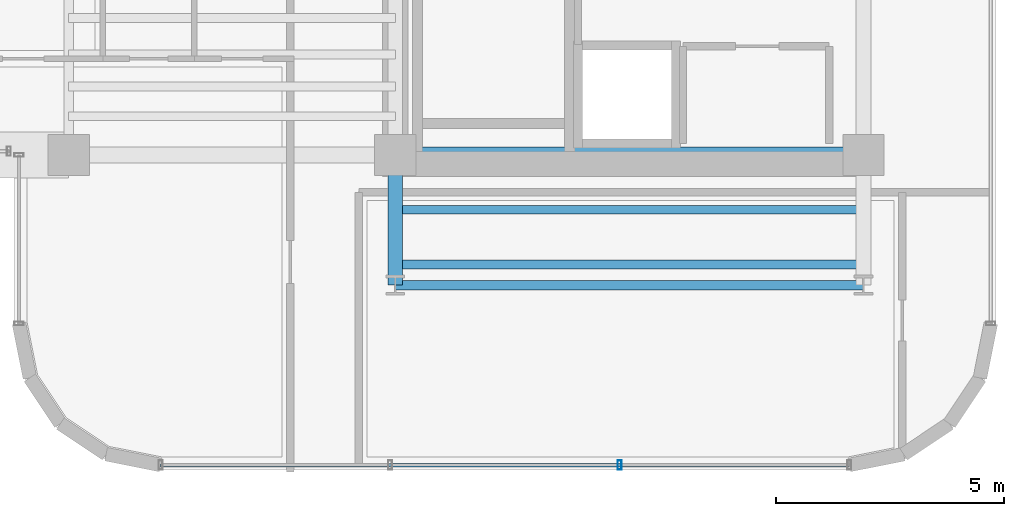
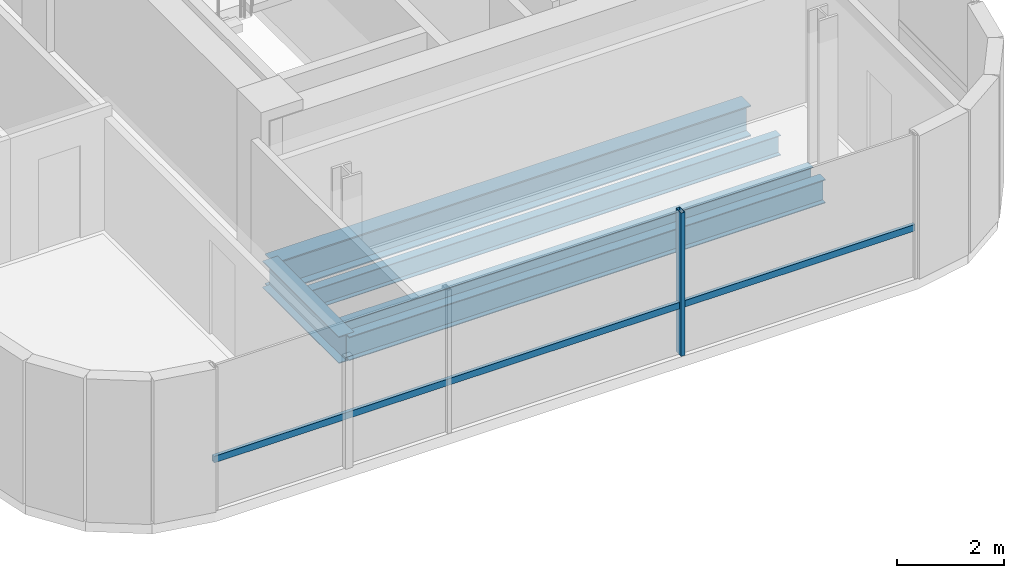
# One storey, part 3 of 24: 5 beams, 2 members, 1 element without a shape of its own.
"""IFC4 building model written with IfcOpenShell, lengths in metres."""

import ifcopenshell
import ifcopenshell.guid

model = None  # the IFC model being written
_history = None  # IfcOwnerHistory: only IFC2X3 demands one
_inside = {}  # id of a spatial element -> (the spatial element, [elements in it])
_under = {}  # id of a project, library or spatial element -> (it, [spatial elements below it])
_declared = {}  # id of a project -> (the project, [libraries it declares])
_typed = {}  # id of a type object -> (the type object, [elements of that type])
_made_of = {}  # id of a material, layer set ... -> (it, [elements and type objects made of it])


def new_model(schema):
    """Start an empty IFC model of exactly this schema.

    Asked for "IFC4X3", IfcOpenShell would pick the latest addendum, in which some entities
    have other attributes; the version numbers below select the first issue.
    IFC2X3 requires an IfcOwnerHistory on every rooted entity: one is made here for all.
    """
    global model, _history
    if schema == "IFC4X3":
        model = ifcopenshell.file(schema_version=(4, 3, 0, 0))
    else:
        model = ifcopenshell.file(schema=schema)
    _inside.clear()
    _under.clear()
    _declared.clear()
    _typed.clear()
    _made_of.clear()
    _history = None
    if model.schema == "IFC2X3":
        org = make("IfcOrganization", Name="unknown")
        user = make(
            "IfcPersonAndOrganization",
            ThePerson=make("IfcPerson", FamilyName="unknown"),
            TheOrganization=org,
        )
        app = make(
            "IfcApplication",
            ApplicationDeveloper=org,
            Version="unknown",
            ApplicationFullName="unknown",
            ApplicationIdentifier="unknown",
        )
        _history = make(
            "IfcOwnerHistory",
            OwningUser=user,
            OwningApplication=app,
            ChangeAction="ADDED",
            CreationDate=0,
        )
    return model


def make(cls, **values):
    """One entity of the class cls with the attributes given. An attribute that is None is left unset."""
    return model.create_entity(
        cls, **{name: value for name, value in values.items() if value is not None}
    )


def rooted(cls, **values):
    """An entity with a GlobalId (a new one), such as an element, a storey or a relation."""
    return make(cls, GlobalId=ifcopenshell.guid.new(), OwnerHistory=_history, **values)


def si_unit(unit_type, name, prefix=None):
    """IfcSIUnit, for example si_unit("LENGTHUNIT", "METRE", prefix="MILLI")."""
    return make("IfcSIUnit", UnitType=unit_type, Prefix=prefix, Name=name)


def assignment(units):
    """IfcUnitAssignment: the units of a project."""
    return None if units is None else make("IfcUnitAssignment", Units=units)


def point(xyz):
    """IfcCartesianPoint."""
    return None if xyz is None else make("IfcCartesianPoint", Coordinates=xyz)


def direction(xyz):
    """IfcDirection."""
    return None if xyz is None else make("IfcDirection", DirectionRatios=xyz)


def frame(location, z_axis=None, x_axis=None):
    """IfcAxis2Placement3D, a coordinate frame: its origin and axes. An axis left out is left unset."""
    return make(
        "IfcAxis2Placement3D",
        Location=point(location),
        Axis=direction(z_axis),
        RefDirection=direction(x_axis),
    )


def frame_2d(location, x_axis=None):
    """IfcAxis2Placement2D, a coordinate frame in the plane: its origin and x axis."""
    return make(
        "IfcAxis2Placement2D", Location=point(location), RefDirection=direction(x_axis)
    )


def origin():
    """The frame at (0, 0, 0) with its axes left unset."""
    return frame((0.0, 0.0, 0.0))


def origin_2d():
    """The frame at (0, 0) in the plane with its x axis left unset."""
    return frame_2d((0.0, 0.0))


def place(relative_to, where):
    """IfcLocalPlacement: puts the frame where relative to a parent placement (None: the world)."""
    return make(
        "IfcLocalPlacement", PlacementRelTo=relative_to, RelativePlacement=where
    )


def context(
    kind, dimensions, precision=None, world=None, true_north=None, identifier=None
):
    """IfcGeometricRepresentationContext, for example the 3D "Model" context."""
    return make(
        "IfcGeometricRepresentationContext",
        ContextIdentifier=identifier,
        ContextType=kind,
        CoordinateSpaceDimension=dimensions,
        Precision=precision,
        WorldCoordinateSystem=world,
        TrueNorth=true_north,
    )


def subcontext(parent, identifier, kind, view, scale=None):
    """IfcGeometricRepresentationSubContext, for example "Body" below "Model"."""
    return make(
        "IfcGeometricRepresentationSubContext",
        ContextIdentifier=identifier,
        ContextType=kind,
        ParentContext=parent,
        TargetScale=scale,
        TargetView=view,
    )


def project(units=None, contexts=None):
    """IfcProject with its units and contexts."""
    return rooted(
        "IfcProject",
        Name="project",
        RepresentationContexts=contexts,
        UnitsInContext=assignment(units),
    )


def spatial(cls, under=None, at=None, **own):
    """A site, building, storey or space (cls), placed at a placement, below another one or the project."""
    s = rooted(cls, ObjectPlacement=at, **own)
    if under is not None:
        _under.setdefault(under.id(), (under, []))[1].append(s)
    return s


def profile(cls, at=None, kind="AREA", **sizes):
    """A parametric profile (cls). Its sizes go by their IFC names, for example OverallWidth=200.0."""
    return make(cls, ProfileType=kind, Position=at, **sizes)


def hollow_rectangle(**sizes):
    """IfcRectangleHollowProfileDef."""
    return profile("IfcRectangleHollowProfileDef", **sizes)


def i_section(**sizes):
    """IfcIShapeProfileDef."""
    return profile("IfcIShapeProfileDef", **sizes)


def extrude(swept, where, along, depth):
    """IfcExtrudedAreaSolid: the profile swept, set in the frame where, extruded along a direction by depth."""
    return make(
        "IfcExtrudedAreaSolid",
        SweptArea=swept,
        Position=where,
        ExtrudedDirection=direction(along),
        Depth=depth,
    )


def shape(context_of_items, identifier, shape_type, items):
    """IfcShapeRepresentation: the items that make up one representation, for example the "Body"."""
    return make(
        "IfcShapeRepresentation",
        ContextOfItems=context_of_items,
        RepresentationIdentifier=identifier,
        RepresentationType=shape_type,
        Items=items,
    )


def source(mapping_origin, context_of_items, identifier, shape_type, items):
    """IfcRepresentationMap: a shape defined once, which mapped items show again and again."""
    return make(
        "IfcRepresentationMap",
        MappingOrigin=mapping_origin,
        MappedRepresentation=shape(context_of_items, identifier, shape_type, items),
    )


def transform(
    local_origin,
    x_axis=None,
    y_axis=None,
    z_axis=None,
    scale=None,
    scale2=None,
    scale3=None,
    uniform=True,
):
    """IfcCartesianTransformationOperator3D, or its non-uniform kind. x_axis, y_axis, z_axis: its Axis1, 2, 3."""
    if uniform:
        return make(
            "IfcCartesianTransformationOperator3D",
            Axis1=direction(x_axis),
            Axis2=direction(y_axis),
            LocalOrigin=point(local_origin),
            Scale=scale,
            Axis3=direction(z_axis),
        )
    return make(
        "IfcCartesianTransformationOperator3DnonUniform",
        Axis1=direction(x_axis),
        Axis2=direction(y_axis),
        LocalOrigin=point(local_origin),
        Scale=scale,
        Axis3=direction(z_axis),
        Scale2=scale2,
        Scale3=scale3,
    )


def mapped(mapping_source, mapping_target):
    """IfcMappedItem: shows the shape of a source again, moved by a transform."""
    return make(
        "IfcMappedItem", MappingSource=mapping_source, MappingTarget=mapping_target
    )


def material(Name=None, Category=None):
    """IfcMaterial."""
    return make("IfcMaterial", Name=Name, Category=Category)


def material_profile(
    of_material, cross_section, Name=None, Category=None, Priority=None
):
    """IfcMaterialProfile: a cross section and its material."""
    return make(
        "IfcMaterialProfile",
        Name=Name,
        Material=of_material,
        Profile=cross_section,
        Priority=Priority,
        Category=Category,
    )


def profile_set(profiles, Name=None, composite=None):
    """IfcMaterialProfileSet."""
    return make(
        "IfcMaterialProfileSet",
        Name=Name,
        MaterialProfiles=profiles,
        CompositeProfile=composite,
    )


def made_of(thing, what):
    """Note that an element or type object is made of a material, layer set ...; save() writes the relation."""
    if what is not None:
        _made_of.setdefault(what.id(), (what, []))[1].append(thing)
    return thing


def type_object(cls, material=None, **own):
    """A type object (cls), such as IfcWallType, which elements share."""
    return made_of(rooted(cls, **own), material)


def element(
    cls,
    number,
    at=None,
    inside=None,
    cuts=None,
    type_object=None,
    material=None,
    context=None,
    identifier="Body",
    shape_type=None,
    held_by="IfcProductDefinitionShape",
    body=None,
    shapes=None,
    **own,
):
    """One element of the class cls, such as IfcWall. Its Tag is "e" and its number.

    at: its placement. inside: the storey or other place that contains it. cuts: it is an
    opening in that element (IfcRelVoidsElement). A single representation is given by context,
    identifier, shape_type and body (its items); several are given by shapes. held_by: the class
    of the entity that holds the representations. save() writes the other relations.
    """
    e = rooted(cls, Tag="e%d" % number, ObjectPlacement=at, **own)
    if body is not None:
        shapes = [shape(context, identifier, shape_type, body)]
    if shapes is not None:
        e.Representation = make(held_by, Representations=shapes)
    if inside is not None:
        _inside.setdefault(inside.id(), (inside, []))[1].append(e)
    if cuts is not None:
        rooted(
            "IfcRelVoidsElement", RelatingBuildingElement=cuts, RelatedOpeningElement=e
        )
    if type_object is not None:
        _typed.setdefault(type_object.id(), (type_object, []))[1].append(e)
    return made_of(e, material)


def aggregate(whole, parts):
    """IfcRelAggregates: a whole, such as a stair, and the parts it consists of."""
    return rooted("IfcRelAggregates", RelatingObject=whole, RelatedObjects=parts)


def save(model, path):
    """Write the relations noted so far, then the file.

    IfcRelAggregates (storeys below a building ...), IfcRelContainedInSpatialStructure (elements
    in a storey), IfcRelDefinesByType, IfcRelAssociatesMaterial and IfcRelDeclares: one each for
    every whole, place, type object, material and project.
    """
    for whole, parts in _under.values():
        aggregate(whole, parts)
    for where, things in _inside.values():
        rooted(
            "IfcRelContainedInSpatialStructure",
            RelatedElements=things,
            RelatingStructure=where,
        )
    for kind, things in _typed.values():
        rooted("IfcRelDefinesByType", RelatedObjects=things, RelatingType=kind)
    for what, things in _made_of.values():
        rooted("IfcRelAssociatesMaterial", RelatedObjects=things, RelatingMaterial=what)
    for by, libraries in _declared.values():
        rooted("IfcRelDeclares", RelatingContext=by, RelatedDefinitions=libraries)
    model.write(path)


model = new_model("IFC4")

# Units and contexts
model_context = context("Model", 3, precision=1e-05, world=origin(), true_north=direction((0.0, 1.0)))
body_context = subcontext(model_context, "Body", "Model", "MODEL_VIEW")
ifc_project = project(units=[si_unit("LENGTHUNIT", "METRE"), si_unit("AREAUNIT", "SQUARE_METRE"), si_unit("VOLUMEUNIT", "CUBIC_METRE"), si_unit("PLANEANGLEUNIT", "RADIAN"), si_unit("MASSUNIT", "GRAM", prefix="KILO")], contexts=[model_context])

# Site, building, storey
site_placement = place(None, origin())
site = spatial("IfcSite", under=ifc_project, at=site_placement, CompositionType="ELEMENT")
building_placement = place(site_placement, origin())
building = spatial("IfcBuilding", under=site, at=building_placement, Name="Valdorenza Pilgrim Sanctuary Tower", CompositionType="ELEMENT")
storey_placement = place(building_placement, frame((0.0, 0.0, 205.5)))
storey = spatial("IfcBuildingStorey", under=building, at=storey_placement, Name="L52", CompositionType="ELEMENT", Elevation=205.5)

# Beams
ifc_material_1 = material(Name="Steel ASTM A992 Grade 50", Category="steel")
ifc_material_profile_1 = material_profile(ifc_material_1, i_section(OverallWidth=0.323974609375, OverallDepth=0.611083984375, WebThickness=0.0126953125, FlangeThickness=0.01904296875, at=origin_2d()), Name="W24X104")
ifc_profile_set_1 = profile_set([ifc_material_profile_1], Name="Steel ASTM A992 Grade 50")
beam_type_1 = type_object("IfcBeamType", Name="STR-BM-GRD-W24B", PredefinedType="BEAM", material=ifc_profile_set_1)
shared_shape_1 = source(origin(), body_context, "Body", "SweptSolid", [
    extrude(i_section(OverallWidth=0.323974609375, OverallDepth=0.611083984375, WebThickness=0.0126953125, FlangeThickness=0.01904296875, at=origin_2d()), origin(), (0.0, 0.0, 1.0), 2.849853515625),
])
beam_1_placement = place(storey_placement, frame((-22.64990234375, -13.449951171875, -0.54541015625), z_axis=(0.0, 1.0, 0.0), x_axis=(-1.0, 0.0, 0.0)))
element("IfcBeam", 1, at=beam_1_placement, inside=storey, type_object=beam_type_1, Name="L52 Floor Girder WA-S-LW", PredefinedType="BEAM", context=body_context, shape_type="MappedRepresentation", body=[
    mapped(shared_shape_1, transform((0.0, 0.0, 0.0), x_axis=(1.0, 0.0, 0.0), y_axis=(0.0, 1.0, 0.0), z_axis=(0.0, 0.0, 1.0), scale=1.0)),
])
ifc_material_profile_2 = material_profile(ifc_material_1, i_section(OverallWidth=0.19091796875, OverallDepth=0.45703125, WebThickness=0.009033203125, FlangeThickness=0.014404296875, at=origin_2d()), Name="W18X50")
ifc_profile_set_2 = profile_set([ifc_material_profile_2], Name="Steel ASTM A992 Grade 50")
beam_type_2 = type_object("IfcBeamType", Name="STR-BM-JST-W18B", PredefinedType="JOIST", material=ifc_profile_set_2)
shared_shape_2 = source(origin(), body_context, "Body", "SweptSolid", [
    extrude(i_section(OverallWidth=0.19091796875, OverallDepth=0.45703125, WebThickness=0.009033203125, FlangeThickness=0.014404296875, at=origin_2d()), origin(), (0.0, 0.0, 1.0), 10.25),
])
for number, where, z_axis, x_axis, name in (
    (2, (-22.64990234375, -13.0, -0.468505859375), (1.0, 0.0, 0.0), (0.0, 1.0, 0.0), "L52 Composite Floor Joist JST-WAS-1"),
    (3, (-22.64990234375, -11.800048828125, -0.468505859375), (1.0, 0.0, 0.0), (0.0, 1.0, 0.0), "L52 Composite Floor Joist JST-WAS-2"),
):
    element("IfcBeam", number, at=place(storey_placement, frame(where, z_axis=z_axis, x_axis=x_axis)), inside=storey, type_object=beam_type_2, Name=name, PredefinedType="JOIST", context=body_context, shape_type="MappedRepresentation", body=[
        mapped(shared_shape_2, transform((0.0, 0.0, 0.0), x_axis=(1.0, 0.0, 0.0), y_axis=(0.0, 1.0, 0.0), z_axis=(0.0, 0.0, 1.0), scale=1.0)),
    ])
ifc_material_profile_3 = material_profile(ifc_material_1, i_section(OverallWidth=0.2109375, OverallDepth=0.5390625, WebThickness=0.01171875, FlangeThickness=0.018798828125, at=origin_2d()), Name="W21X73")
ifc_profile_set_3 = profile_set([ifc_material_profile_3], Name="Steel ASTM A992 Grade 50")
beam_type_3 = type_object("IfcBeamType", Name="STR-BM-SPN-W21B", PredefinedType="SPANDREL", material=ifc_profile_set_3)
shared_shape_3 = source(origin(), body_context, "Body", "SweptSolid", [
    extrude(i_section(OverallWidth=0.2109375, OverallDepth=0.5390625, WebThickness=0.01171875, FlangeThickness=0.018798828125, at=origin_2d()), origin(), (0.0, 0.0, 1.0), 10.25),
])
beam_2_placement = place(storey_placement, frame((-22.64990234375, -13.449951171875, -0.509521484375), z_axis=(1.0, 0.0, 0.0), x_axis=(0.0, 1.0, 0.0)))
element("IfcBeam", 4, at=beam_2_placement, inside=storey, type_object=beam_type_3, Name="L52 South Spandrel WA-S-TIE", PredefinedType="SPANDREL", context=body_context, shape_type="MappedRepresentation", body=[
    mapped(shared_shape_3, transform((0.0, 0.0, 0.0), x_axis=(1.0, 0.0, 0.0), y_axis=(0.0, 1.0, 0.0), z_axis=(0.0, 0.0, 1.0), scale=1.0)),
])
ifc_material_profile_4 = material_profile(ifc_material_1, i_section(OverallWidth=0.35595703125, OverallDepth=0.700927734375, WebThickness=0.016845703125, FlangeThickness=0.02734375, at=origin_2d()), Name="W27X161")
ifc_profile_set_4 = profile_set([ifc_material_profile_4], Name="Steel ASTM A992 Grade 50")
beam_type_4 = type_object("IfcBeamType", Name="STR-BM-GRD-W27", PredefinedType="BEAM", material=ifc_profile_set_4)
shared_shape_4 = source(origin(), body_context, "Body", "SweptSolid", [
    extrude(i_section(OverallWidth=0.35595703125, OverallDepth=0.700927734375, WebThickness=0.016845703125, FlangeThickness=0.02734375, at=origin_2d()), origin(), (0.0, 0.0, 1.0), 10.25),
])
beam_3_placement = place(storey_placement, frame((-22.64990234375, -10.60009765625, -0.590576171875), z_axis=(1.0, 0.0, 0.0), x_axis=(0.0, 1.0, 0.0)))
element("IfcBeam", 5, at=beam_3_placement, inside=storey, type_object=beam_type_4, Name="L52 Floor Girder CA-XC-S1", PredefinedType="BEAM", context=body_context, shape_type="MappedRepresentation", body=[
    mapped(shared_shape_4, transform((0.0, 0.0, 0.0), x_axis=(1.0, 0.0, 0.0), y_axis=(0.0, 1.0, 0.0), z_axis=(0.0, 0.0, 1.0), scale=1.0)),
])

# Curtain wall, members
ifc_material_2 = material(Name="Curtain-wall IGU glazing", Category="glass")
curtain_wall_type = type_object("IfcCurtainWallType", Name="CW-SYS-02", PredefinedType="NOTDEFINED", material=ifc_material_2)
curtain_wall_placement = place(storey_placement, origin())
curtain_wall = element("IfcCurtainWall", 6, at=curtain_wall_placement, inside=storey, type_object=curtain_wall_type, Name="L52 Curtain Wall CW-L52-1-26", PredefinedType="NOTDEFINED")
ifc_material_3 = material(Name="Anodised aluminium AW-6060", Category="aluminium")
ifc_material_profile_5 = material_profile(ifc_material_3, hollow_rectangle(XDim=0.074951171875, YDim=0.14990234375, WallThickness=0.00390625, at=origin_2d()), Name="ALU-T 150x75x4")
ifc_profile_set_5 = profile_set([ifc_material_profile_5], Name="Anodised aluminium AW-6060")
member_type_1 = type_object("IfcMemberType", Name="CW-TRN-02", PredefinedType="USERDEFINED", material=ifc_profile_set_5)
shared_shape_5 = source(origin(), body_context, "Body", "SweptSolid", [
    extrude(hollow_rectangle(XDim=0.074951171875, YDim=0.14990234375, WallThickness=0.00390625, at=origin_2d()), origin(), (0.0, 0.0, 1.0), 15.07861328125),
])
member_1_placement = place(storey_placement, frame((-12.710693359375, -17.389892578125, 1.1201171875), z_axis=(-1.0, 0.0, 0.0), x_axis=(0.0, -1.0, 0.0)))
member_1 = element("IfcMember", 7, at=member_1_placement, type_object=member_type_1, Name="CW-L52-1-26 Transom 1", ObjectType="TRANSOM", PredefinedType="USERDEFINED", context=body_context, shape_type="MappedRepresentation", body=[
    mapped(shared_shape_5, transform((0.0, 0.0, 0.0), x_axis=(1.0, 0.0, 0.0), y_axis=(0.0, 1.0, 0.0), z_axis=(0.0, 0.0, 1.0), scale=1.0)),
])
ifc_material_profile_6 = material_profile(ifc_material_3, hollow_rectangle(XDim=0.0849609375, YDim=0.199951171875, WallThickness=0.0048828125, at=origin_2d()), Name="ALU-M 200x85x5")
ifc_profile_set_6 = profile_set([ifc_material_profile_6], Name="Anodised aluminium AW-6060")
member_type_2 = type_object("IfcMemberType", Name="CW-MUL-02", PredefinedType="MULLION", material=ifc_profile_set_6)
shared_shape_6 = source(origin(), body_context, "Body", "SweptSolid", [
    extrude(hollow_rectangle(XDim=0.0849609375, YDim=0.199951171875, WallThickness=0.0048828125, at=origin_2d()), origin(), (0.0, 0.0, 1.0), 3.260009765625),
])
member_2_placement = place(storey_placement, frame((-17.73681640625, -17.389892578125, 0.0), z_axis=(0.0, 0.0, 1.0), x_axis=(-1.0, 0.0, 0.0)))
member_2 = element("IfcMember", 8, at=member_2_placement, type_object=member_type_2, Name="CW-L52-1-26 Mullion 2", PredefinedType="MULLION", context=body_context, shape_type="MappedRepresentation", body=[
    mapped(shared_shape_6, transform((0.0, 0.0, 0.0), x_axis=(1.0, 0.0, 0.0), y_axis=(0.0, 1.0, 0.0), z_axis=(0.0, 0.0, 1.0), scale=1.0)),
])
aggregate(curtain_wall, [member_2, member_1])

save(model, "model.ifc")
